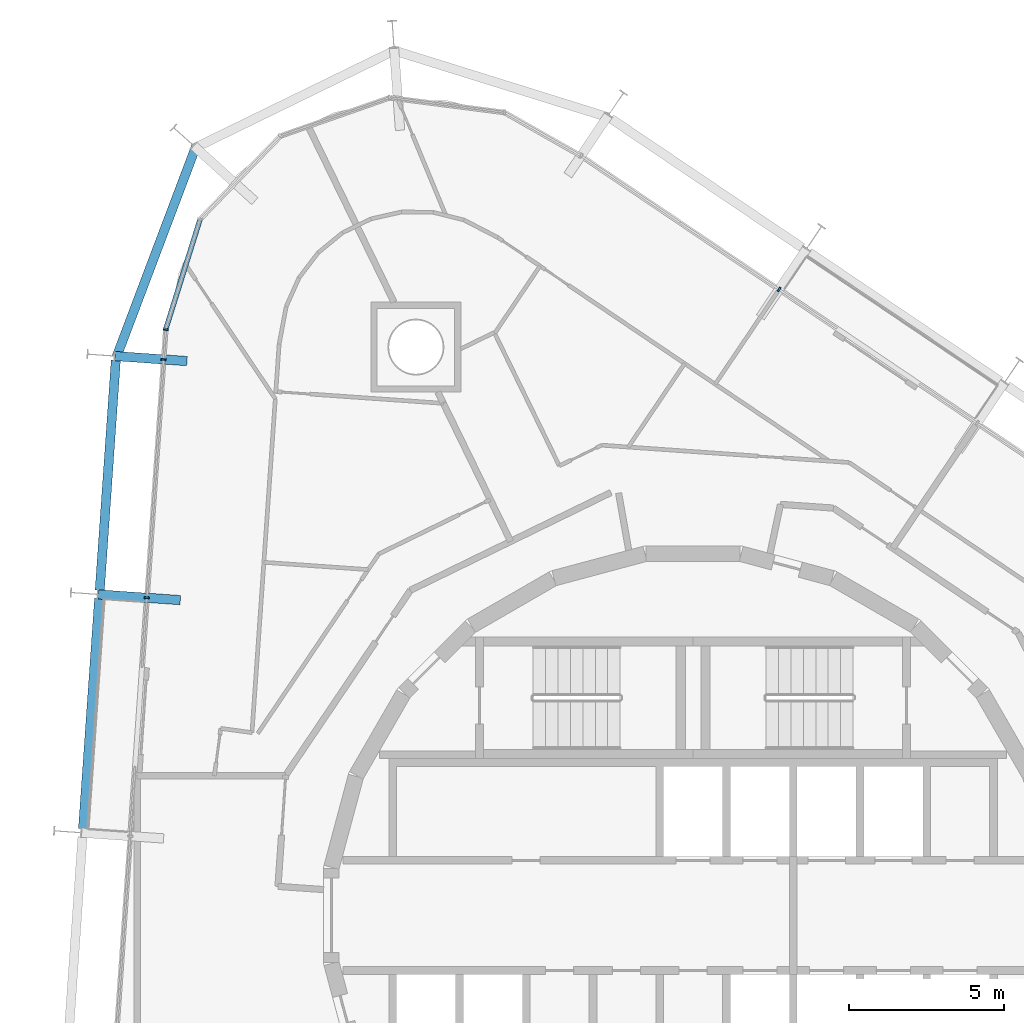
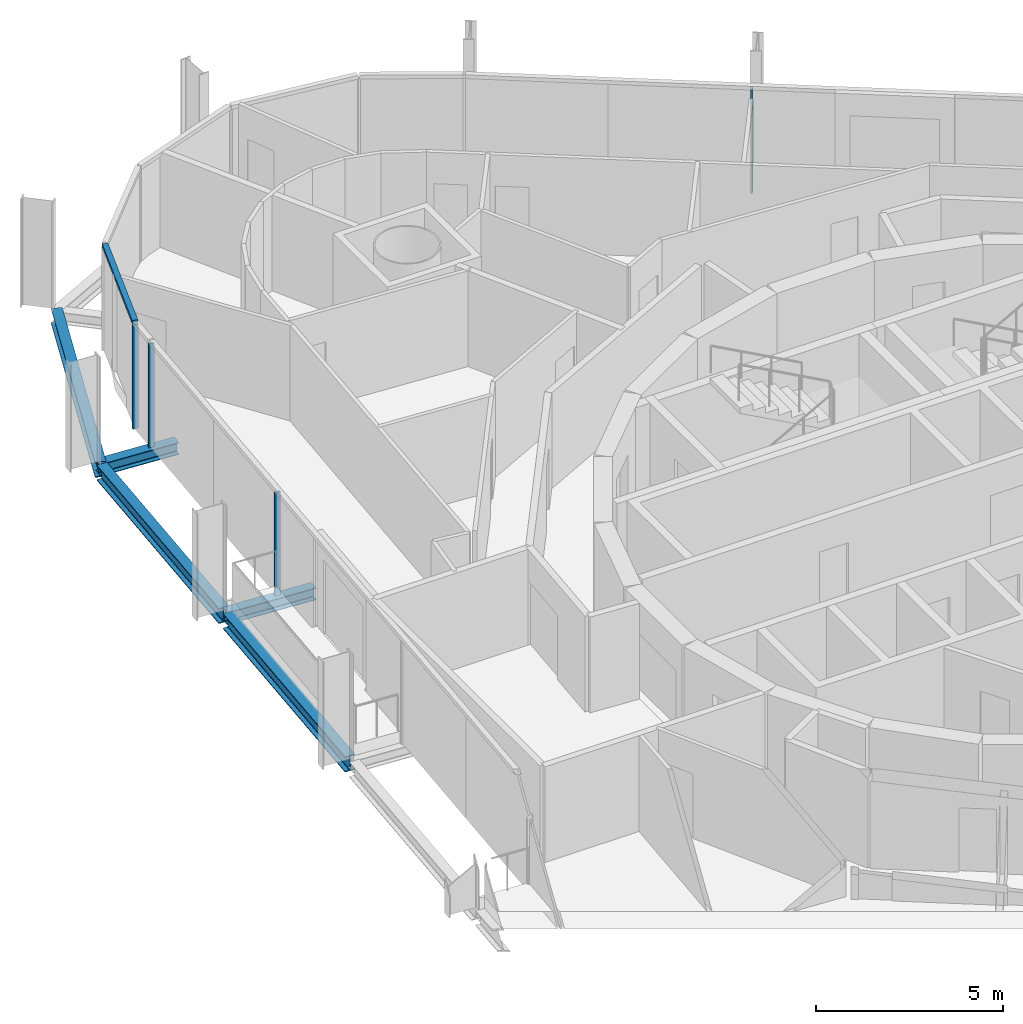
# One storey, part 6 of 18: 5 beams, 5 members, 3 elements without a shape of their own.
"""IFC4 building model written with IfcOpenShell, lengths in metres."""

from ifc_helpers import new_model, si_unit, direction, frame, origin, origin_2d, place, context, subcontext, project, spatial, rectangle, i_section, extrude, material, layer, layer_set, material_profile, profile_set, type_object, element, aggregate, save


model = new_model("IFC4")

# Units and contexts
model_context = context("Model", 3, precision=1e-05, world=origin(), true_north=direction((0.0, 1.0)))
body_context = subcontext(model_context, "Body", "Model", "MODEL_VIEW")
ifc_project = project(units=[si_unit("LENGTHUNIT", "METRE"), si_unit("AREAUNIT", "SQUARE_METRE"), si_unit("VOLUMEUNIT", "CUBIC_METRE"), si_unit("PLANEANGLEUNIT", "RADIAN"), si_unit("MASSUNIT", "GRAM", prefix="KILO")], contexts=[model_context])

# Site, building, storey
site_placement = place(None, origin())
site = spatial("IfcSite", under=ifc_project, at=site_placement, CompositionType="ELEMENT")
building_placement = place(site_placement, origin())
building = spatial("IfcBuilding", under=site, at=building_placement, Name="Spindle Arch Residences", CompositionType="ELEMENT")
storey_placement = place(building_placement, frame((0.0, 0.0, 205.89990234375)))
storey = spatial("IfcBuildingStorey", under=building, at=storey_placement, Name="L52", CompositionType="ELEMENT", Elevation=205.89990234375)

# Curtain wall, member
ifc_material_1 = material(Name="Aluminium bronze unitised frame with tinted glass", Category="aluminium")
ifc_layer_1 = layer(ifc_material_1, 0.159912109375)
ifc_layer_set_1 = layer_set([ifc_layer_1], Name="CW-C typical residential unitised wall")
curtain_wall_type_1 = type_object("IfcCurtainWallType", Name="CW-C typical residential unitised wall", PredefinedType="NOTDEFINED", material=ifc_layer_set_1)
curtain_wall_1_placement = place(storey_placement, origin())
curtain_wall_1 = element("IfcCurtainWall", 1, at=curtain_wall_1_placement, inside=storey, type_object=curtain_wall_type_1, Name="CW-C L52 run 2", PredefinedType="NOTDEFINED")
ifc_material_2 = material(Name="Aluminium bronze anodised mullion", Category="aluminium")
ifc_material_profile_1 = material_profile(ifc_material_2, rectangle(XDim=0.159912109375, YDim=0.06005859375, at=origin_2d()), Name="MU 60x160")
ifc_profile_set_1 = profile_set([ifc_material_profile_1], Name="Aluminium bronze anodised mullion")
member_type_1 = type_object("IfcMemberType", Name="Bronze mullion 60x160", PredefinedType="MULLION", material=ifc_profile_set_1)
member_1_placement = place(storey_placement, frame((2.769775390625, 20.158203125, -0.3798828125), z_axis=(0.0, 0.0, 1.0), x_axis=(-0.559192903471, -0.829037572555, 0.0)))
member_1 = element("IfcMember", 2, at=member_1_placement, type_object=member_type_1, Name="CW-C mullion 08", PredefinedType="MULLION", context=body_context, shape_type="SweptSolid", body=[
    extrude(rectangle(XDim=0.159912109375, YDim=0.06005859375, at=origin_2d()), origin(), (0.0, 0.0, 1.0), 3.3798828125),
])
aggregate(curtain_wall_1, [member_1])

ifc_material_3 = material(Name="Aluminium bronze unitised frame with tinted glass", Category="aluminium")
ifc_layer_2 = layer(ifc_material_3, 0.159912109375)
ifc_layer_set_2 = layer_set([ifc_layer_2], Name="CW-D corner wall on the fillet arcs")
curtain_wall_type_2 = type_object("IfcCurtainWallType", Name="CW-D corner wall on the fillet arcs", PredefinedType="NOTDEFINED", material=ifc_layer_set_2)
curtain_wall_2_placement = place(storey_placement, origin())
curtain_wall_2 = element("IfcCurtainWall", 3, at=curtain_wall_2_placement, inside=storey, type_object=curtain_wall_type_2, Name="CW-D L52 run 3", PredefinedType="NOTDEFINED")
member_2_placement = place(storey_placement, frame((-16.986328125, 18.864501953125, -0.3798828125), z_axis=(0.0, 0.0, 1.0), x_axis=(0.99756405026, -0.069756473744, 0.0)))
member_2 = element("IfcMember", 4, at=member_2_placement, type_object=member_type_1, Name="CW-D mullion 05", PredefinedType="MULLION", context=body_context, shape_type="SweptSolid", body=[
    extrude(rectangle(XDim=0.159912109375, YDim=0.06005859375, at=origin_2d()), origin(), (0.0, 0.0, 1.0), 3.3798828125),
])

# Curtain wall, members
curtain_wall_3_placement = place(storey_placement, origin())
curtain_wall_3 = element("IfcCurtainWall", 5, at=curtain_wall_3_placement, inside=storey, type_object=curtain_wall_type_1, Name="CW-C L52 run 4", PredefinedType="NOTDEFINED")
member_3_placement = place(storey_placement, frame((-17.053466796875, 17.90283203125, -0.3798828125), z_axis=(0.0, 0.0, 1.0), x_axis=(0.99756405026, -0.069756473744, 0.0)))
member_3 = element("IfcMember", 6, at=member_3_placement, type_object=member_type_1, Name="CW-C mullion 12", PredefinedType="MULLION", context=body_context, shape_type="SweptSolid", body=[
    extrude(rectangle(XDim=0.159912109375, YDim=0.06005859375, at=origin_2d()), origin(), (0.0, 0.0, 1.0), 3.3798828125),
])
member_4_placement = place(storey_placement, frame((-17.590087890625, 10.22802734375, -0.3798828125), z_axis=(0.0, 0.0, 1.0), x_axis=(0.99756405026, -0.069756473744, 0.0)))
member_4 = element("IfcMember", 7, at=member_4_placement, type_object=member_type_1, Name="CW-C mullion 13", PredefinedType="MULLION", context=body_context, shape_type="SweptSolid", body=[
    extrude(rectangle(XDim=0.159912109375, YDim=0.06005859375, at=origin_2d()), origin(), (0.0, 0.0, 1.0), 3.3798828125),
])
aggregate(curtain_wall_3, [member_3, member_4])

# Member
ifc_material_4 = material(Name="Aluminium bronze anodised transom", Category="aluminium")
ifc_material_profile_2 = material_profile(ifc_material_4, rectangle(XDim=0.159912109375, YDim=0.1201171875, at=origin_2d()), Name="TR 120x160")
ifc_profile_set_2 = profile_set([ifc_material_profile_2], Name="Aluminium bronze anodised transom")
member_type_2 = type_object("IfcMemberType", Name="Bronze transom 120x160", PredefinedType="USERDEFINED", material=ifc_profile_set_2)
member_5_placement = place(storey_placement, frame((-15.884765625, 22.393310546875, 3.06005859375), z_axis=(-0.297952730594, -0.95458062537, 0.0), x_axis=(0.95458062537, -0.297952730594, 0.0)))
member_5 = element("IfcMember", 8, at=member_5_placement, type_object=member_type_2, Name="CW-D transom 04", ObjectType="TRANSOM", PredefinedType="USERDEFINED", context=body_context, shape_type="SweptSolid", body=[
    extrude(rectangle(XDim=0.159912109375, YDim=0.1201171875, at=origin_2d()), origin(), (0.0, 0.0, 1.0), 3.666748046875),
])

aggregate(curtain_wall_2, [member_5, member_2])

# Beams
ifc_material_5 = material(Name="Steel S460ML, intumescent coating R 120", Category="steel")
ifc_material_profile_3 = material_profile(ifc_material_5, i_section(OverallWidth=0.300048828125, OverallDepth=0.5, WebThickness=0.014404296875, FlangeThickness=0.028076171875, FilletRadius=0.027099609375, at=origin_2d()), Name="HEB 500")
ifc_profile_set_3 = profile_set([ifc_material_profile_3], Name="Steel S460ML, intumescent coating R 120")
beam_type_1 = type_object("IfcBeamType", Name="Exoskeleton edge beam HEB 500", PredefinedType="BEAM", material=ifc_profile_set_3)
beam_1_placement = place(storey_placement, frame((-16.005859375, 24.768310546875, -0.6298828125), z_axis=(-0.353273753707, -0.935519991738, 0.0), x_axis=(0.935519991738, -0.353273753707, 0.0)))
element("IfcBeam", 9, at=beam_1_placement, inside=storey, type_object=beam_type_1, Name="Exoskeleton edge beam 12", PredefinedType="BEAM", context=body_context, shape_type="SweptSolid", body=[
    extrude(i_section(OverallWidth=0.300048828125, OverallDepth=0.5, WebThickness=0.014404296875, FlangeThickness=0.028076171875, FilletRadius=0.027099609375, at=origin_2d()), origin(), (0.0, 0.0, 1.0), 7.26318359375),
])
beam_2_placement = place(storey_placement, frame((-18.5888671875, 17.8798828125, -0.6298828125), z_axis=(-0.069757879566, -0.997563951954, 0.0), x_axis=(0.997563951954, -0.069757879566, 0.0)))
element("IfcBeam", 10, at=beam_2_placement, inside=storey, type_object=beam_type_1, Name="Exoskeleton edge beam 13", PredefinedType="BEAM", context=body_context, shape_type="SweptSolid", body=[
    extrude(i_section(OverallWidth=0.300048828125, OverallDepth=0.5, WebThickness=0.014404296875, FlangeThickness=0.028076171875, FilletRadius=0.027099609375, at=origin_2d()), origin(), (0.0, 0.0, 1.0), 7.43359375),
])
beam_3_placement = place(storey_placement, frame((-19.12548828125, 10.205078125, -0.6298828125), z_axis=(-0.069755594186, -0.997564111764, 0.0), x_axis=(0.997564111764, -0.069755594186, 0.0)))
element("IfcBeam", 11, at=beam_3_placement, inside=storey, type_object=beam_type_1, Name="Exoskeleton edge beam 14", PredefinedType="BEAM", context=body_context, shape_type="SweptSolid", body=[
    extrude(i_section(OverallWidth=0.300048828125, OverallDepth=0.5, WebThickness=0.014404296875, FlangeThickness=0.028076171875, FilletRadius=0.027099609375, at=origin_2d()), origin(), (0.0, 0.0, 1.0), 7.433837890625),
])
ifc_material_6 = material(Name="Steel S460ML, intumescent coating R 120", Category="steel")
ifc_material_profile_4 = material_profile(ifc_material_6, i_section(OverallWidth=0.300048828125, OverallDepth=0.389892578125, WebThickness=0.010986328125, FlangeThickness=0.01904296875, FilletRadius=0.027099609375, at=origin_2d()), Name="HEA 400")
ifc_profile_set_4 = profile_set([ifc_material_profile_4], Name="Steel S460ML, intumescent coating R 120")
beam_type_2 = type_object("IfcBeamType", Name="Floor outrigger HEA 400", PredefinedType="BEAM", material=ifc_profile_set_4)
beam_4_placement = place(storey_placement, frame((-18.61962890625, 18.012451171875, -0.574951171875), z_axis=(0.997565099834, -0.069741462509, 0.0), x_axis=(0.069741462509, 0.997565099834, 0.0)))
element("IfcBeam", 12, at=beam_4_placement, inside=storey, type_object=beam_type_2, Name="Floor outrigger 13", PredefinedType="BEAM", context=body_context, shape_type="SweptSolid", body=[
    extrude(i_section(OverallWidth=0.300048828125, OverallDepth=0.389892578125, WebThickness=0.010986328125, FlangeThickness=0.01904296875, FilletRadius=0.027099609375, at=origin_2d()), origin(), (0.0, 0.0, 1.0), 2.327880859375),
])
beam_5_placement = place(storey_placement, frame((-19.15625, 10.33740234375, -0.574951171875), z_axis=(0.997565124092, -0.069741115528, 0.0), x_axis=(0.069741115528, 0.997565124092, 0.0)))
element("IfcBeam", 13, at=beam_5_placement, inside=storey, type_object=beam_type_2, Name="Floor outrigger 14", PredefinedType="BEAM", context=body_context, shape_type="SweptSolid", body=[
    extrude(i_section(OverallWidth=0.300048828125, OverallDepth=0.389892578125, WebThickness=0.010986328125, FlangeThickness=0.01904296875, FilletRadius=0.027099609375, at=origin_2d()), origin(), (0.0, 0.0, 1.0), 2.64990234375),
])

save(model, "model.ifc")
